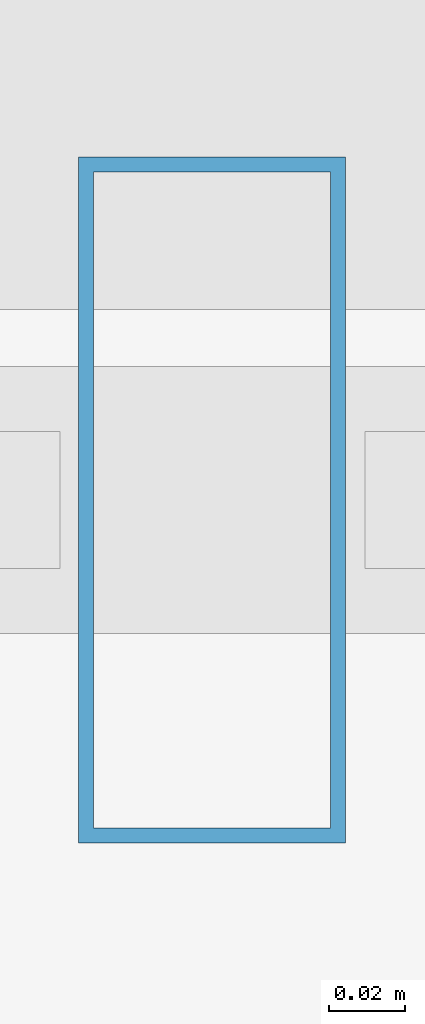
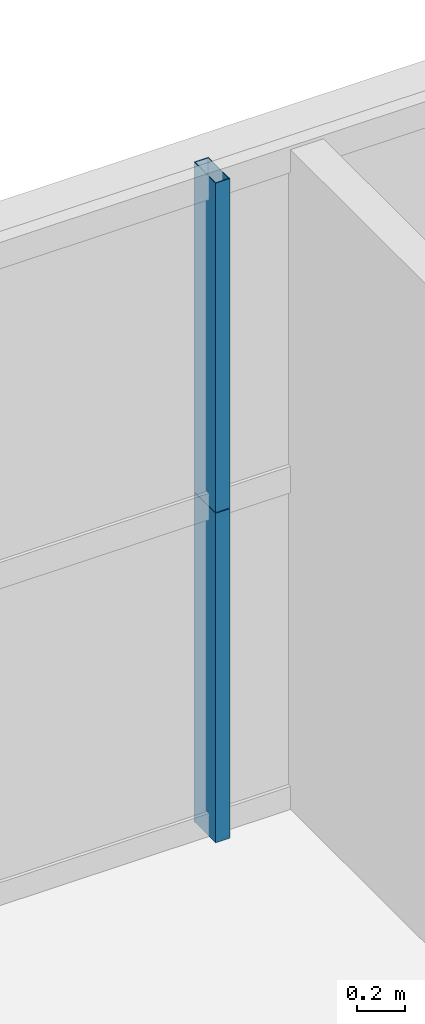
# One storey, part 29 of 45: 2 members, 1 element without a shape of its own.
"""IFC4 building model written with IfcOpenShell, lengths in metres."""

from ifc_helpers import new_model, si_unit, direction, frame, origin, origin_2d, place, context, subcontext, project, spatial, hollow_rectangle, extrude, source, transform, mapped, material, layer, layer_set, material_profile, profile_set, type_object, element, aggregate, save


model = new_model("IFC4")

# Units and contexts
model_context = context("Model", 3, precision=1e-05, world=origin(), true_north=direction((0.0, 1.0)))
body_context = subcontext(model_context, "Body", "Model", "MODEL_VIEW")
ifc_project = project(units=[si_unit("LENGTHUNIT", "METRE"), si_unit("AREAUNIT", "SQUARE_METRE"), si_unit("VOLUMEUNIT", "CUBIC_METRE"), si_unit("PLANEANGLEUNIT", "RADIAN"), si_unit("MASSUNIT", "GRAM", prefix="KILO"), si_unit("THERMODYNAMICTEMPERATUREUNIT", "KELVIN"), si_unit("POWERUNIT", "WATT")], contexts=[model_context])

# Site, building, storey
site_placement = place(None, origin())
site = spatial("IfcSite", under=ifc_project, at=site_placement, CompositionType="ELEMENT")
building_placement = place(site_placement, origin())
building = spatial("IfcBuilding", under=site, at=building_placement, Name="Yuzanri Waterfront Tower", CompositionType="ELEMENT")
storey_placement = place(building_placement, frame((0.0, 0.0, 49.60009765625)))
storey = spatial("IfcBuildingStorey", under=building, at=storey_placement, Name="L12", CompositionType="ELEMENT", Elevation=49.60009765625)

# Curtain wall, members
ifc_material_1 = material(Name="Anodized Architectural Bronze", Category="metal")
ifc_layer = layer(ifc_material_1, 0.159912109375)
ifc_layer_set = layer_set([ifc_layer], Name="Anodized Architectural Bronze")
curtain_wall_type = type_object("IfcCurtainWallType", Name="Anodized Bronze Hotel Lower-Tier Recessed Unitized Curtain Wall 8100", PredefinedType="NOTDEFINED", material=ifc_layer_set)
curtain_wall_placement = place(storey_placement, origin())
curtain_wall = element("IfcCurtainWall", 1, at=curtain_wall_placement, inside=storey, type_object=curtain_wall_type, Name="L12 Curtain Wall CW-L12-NL", PredefinedType="NOTDEFINED")
ifc_material_2 = material(Name="Anodized Architectural Bronze", Category="metal")
ifc_material_profile = material_profile(ifc_material_2, hollow_rectangle(XDim=0.070068359375, YDim=0.179931640625, WallThickness=0.00390625, at=origin_2d()), Name="CWM 70x180")
ifc_profile_set = profile_set([ifc_material_profile], Name="Anodized Architectural Bronze")
member_type = type_object("IfcMemberType", Name="Anodized Bronze Standard Curtain-Wall Mullion 70x180", PredefinedType="MULLION", material=ifc_profile_set)
shared_shape = source(origin(), body_context, "Body", "SweptSolid", [
    extrude(hollow_rectangle(XDim=0.070068359375, YDim=0.179931640625, WallThickness=0.00390625, at=origin_2d()), origin(), (0.0, 0.0, 1.0), 1.68798828125),
])
member_1_placement = place(storey_placement, frame((27.89990234375, 50.75, 0.0), z_axis=(0.0, 0.0, 1.0), x_axis=(1.0, 0.0, 0.0)))
member_1 = element("IfcMember", 2, at=member_1_placement, type_object=member_type, Name="CW-L12-NL Lower Mullion 01", PredefinedType="MULLION", context=body_context, shape_type="MappedRepresentation", body=[
    mapped(shared_shape, transform((0.0, 0.0, 0.0), scale=1.0)),
])
member_2_placement = place(storey_placement, frame((27.89990234375, 50.75, 1.69189453125), z_axis=(0.0, 0.0, 1.0), x_axis=(1.0, 0.0, 0.0)))
member_2 = element("IfcMember", 3, at=member_2_placement, type_object=member_type, Name="CW-L12-NL Upper Mullion 01", PredefinedType="MULLION", context=body_context, shape_type="MappedRepresentation", body=[
    mapped(shared_shape, transform((0.0, 0.0, 0.0), scale=1.0)),
])
aggregate(curtain_wall, [member_1, member_2])

save(model, "model.ifc")
